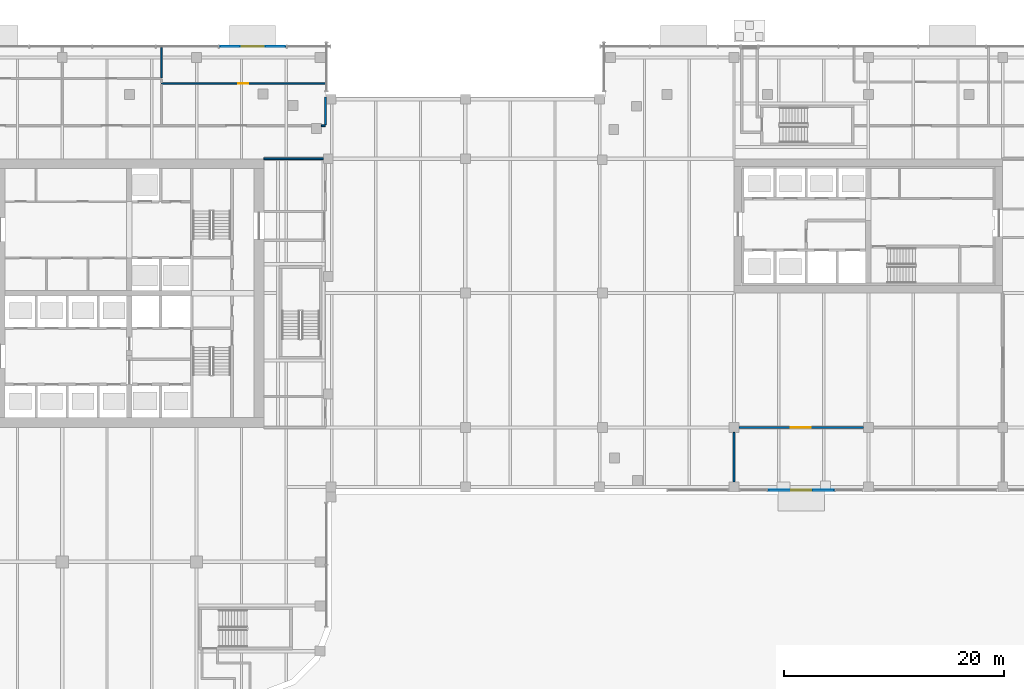
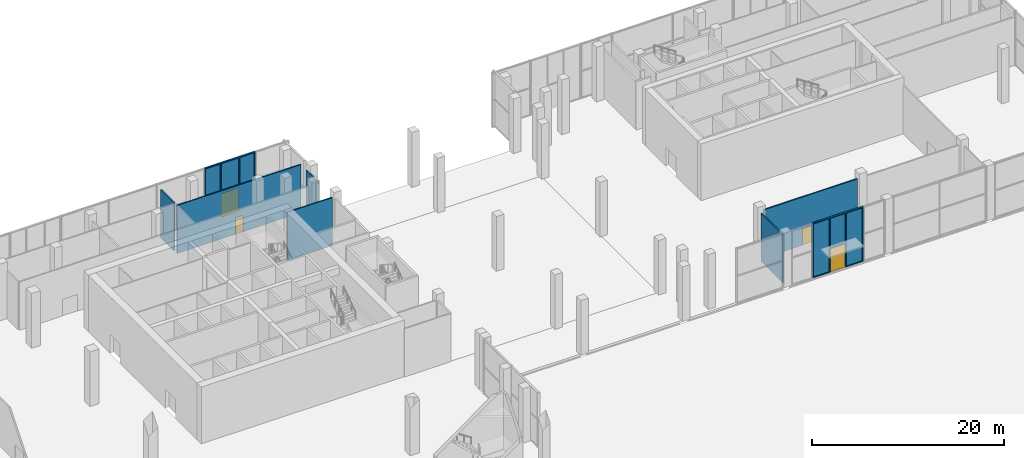
# One storey, part 22 of 36: 9 walls, 6 plates, 4 doors, 10 openings.
"""IFC4 building model written with IfcOpenShell, lengths in metres."""

from ifc_helpers import new_model, si_unit, direction, frame, frame_2d, origin, place, context, subcontext, project, spatial, polyline, rectangle, outline, extrude, source, transform, mapped, material, layer, layer_set, type_object, element, fill, save


model = new_model("IFC4")

# Units and contexts
model_context = context("Model", 3, precision=1e-05, world=origin(), true_north=direction((0.0, 1.0)))
body_context = subcontext(model_context, "Body", "Model", "MODEL_VIEW")
ifc_project = project(units=[si_unit("LENGTHUNIT", "METRE"), si_unit("AREAUNIT", "SQUARE_METRE"), si_unit("VOLUMEUNIT", "CUBIC_METRE"), si_unit("PLANEANGLEUNIT", "RADIAN"), si_unit("MASSUNIT", "GRAM", prefix="KILO")], contexts=[model_context])

# Site, building, storey
site_placement = place(None, origin())
site = spatial("IfcSite", under=ifc_project, at=site_placement, CompositionType="ELEMENT")
building_placement = place(site_placement, origin())
building = spatial("IfcBuilding", under=site, at=building_placement, Name="Tessera Gate Towers", CompositionType="ELEMENT")
storey_placement = place(building_placement, origin())
storey = spatial("IfcBuildingStorey", under=building, at=storey_placement, Name="L00", CompositionType="ELEMENT", Elevation=0.0)

# Wall
ifc_material_1 = material(Name="Gypsum board on steel studs, mineral wool", Category="steel")
ifc_layer_1 = layer(ifc_material_1, 0.14990234375)
ifc_layer_set_1 = layer_set([ifc_layer_1], Name="CORRIDOR WALL 150")
wall_type_1 = type_object("IfcWallType", Name="CORRIDOR WALL 150", PredefinedType="PARTITIONING", material=ifc_layer_set_1)
wall_1_placement = place(storey_placement, frame((97.60009765625, 19.450927734375, 0.0), z_axis=(0.0, 0.0, 1.0), x_axis=(0.0, 1.0, 0.0)))
element("IfcWall", 1, at=wall_1_placement, inside=storey, type_object=wall_type_1, Name="PODIUM-L00-PW-002", PredefinedType="PARTITIONING", context=body_context, shape_type="SweptSolid", body=[
    extrude(rectangle(XDim=4.498046875, YDim=0.14990234375, at=frame_2d((2.2490234375, 0.0))), origin(), (0.0, 0.0, 1.0), 6.114990234375),
])

# Wall, opening, door
wall_2_placement = place(storey_placement, frame((109.34912109375, 24.39990234375, 0.0), z_axis=(0.0, 0.0, 1.0), x_axis=(-1.0, 0.0, 0.0)))
wall_2 = element("IfcWall", 2, at=wall_2_placement, inside=storey, type_object=wall_type_1, Name="PODIUM-L00-PW-006", PredefinedType="PARTITIONING", context=body_context, shape_type="SweptSolid", body=[
    extrude(rectangle(XDim=11.298095703125, YDim=0.14990234375, at=frame_2d((5.64892578125, 0.0))), origin(), (0.0, 0.0, 1.0), 6.114990234375),
])
shared_shape_1 = source(origin(), body_context, "Body", "SweptSolid", [
    extrude(rectangle(XDim=1.800048828125, YDim=2.10009765625, at=frame_2d((0.89990234375, 1.050048828125))), frame((0.0, 0.0849609375, 0.0), z_axis=(0.0, -1.0, 0.0), x_axis=(1.0, 0.0, 0.0)), (0.0, 0.0, 1.0), 0.169921875),
])
opening_1_placement = place(wall_2_placement, frame((4.798095703125, 0.0, 0.0)))
opening_1 = element("IfcOpeningElement", 3, at=opening_1_placement, cuts=wall_2, Name="Opening D2180FD60-P01-09", PredefinedType="OPENING", context=body_context, shape_type="MappedRepresentation", body=[
    mapped(shared_shape_1, transform((0.0, 0.0, 0.0), scale=1.0)),
])
ifc_material_2 = material(Name="Timber door leaf in steel frame", Category="steel")
door_type_1 = type_object("IfcDoorType", Name="TENANCY ENTRANCE DOUBLE DOOR 1800 FD60", OperationType="NOTDEFINED", PredefinedType="DOOR", material=ifc_material_2)
shared_shape_2 = source(origin(), body_context, "Body", "SweptSolid", [
    extrude(rectangle(XDim=1.800048828125, YDim=2.10009765625, at=frame_2d((0.89990234375, 1.050048828125))), frame((0.0, 0.02490234375, 0.0), z_axis=(0.0, -1.0, 0.0), x_axis=(1.0, 0.0, 0.0)), (0.0, 0.0, 1.0), 0.050048828125),
])
door_1_placement = place(opening_1_placement, origin())
door_1 = element("IfcDoor", 4, at=door_1_placement, inside=storey, type_object=door_type_1, Name="PODIUM-L00-PD-020", OperationType="DOUBLE_DOOR_SINGLE_SWING", OverallHeight=2.10009765625, OverallWidth=1.800048828125, PredefinedType="DOOR", context=body_context, shape_type="MappedRepresentation", body=[
    mapped(shared_shape_2, transform((0.0, 0.0, 0.0), scale=1.0)),
])
fill(opening_1, door_1)

# Walls
wall_3_placement = place(storey_placement, frame((54.89990234375, 48.800048828125, 0.0), z_axis=(0.0, 0.0, 1.0), x_axis=(1.0, 0.0, 0.0)))
element("IfcWall", 5, at=wall_3_placement, inside=storey, type_object=wall_type_1, Name="PODIUM-L00-PW-017", PredefinedType="PARTITIONING", context=body_context, shape_type="SweptSolid", body=[
    extrude(rectangle(XDim=5.399169921875, YDim=0.14990234375, at=frame_2d((2.69970703125, 0.0))), origin(), (0.0, 0.0, 1.0), 6.114990234375),
])
wall_4_placement = place(storey_placement, frame((60.1201171875, 51.800048828125, 0.0), z_axis=(0.0, 0.0, 1.0), x_axis=(1.0, 0.0, 0.0)))
element("IfcWall", 6, at=wall_4_placement, inside=storey, type_object=wall_type_1, Name="PODIUM-L00-PW-024", PredefinedType="PARTITIONING", context=body_context, shape_type="SweptSolid", body=[
    extrude(rectangle(XDim=0.3798828125, YDim=0.14990234375, at=frame_2d((0.18994140625, 0.0))), origin(), (0.0, 0.0, 1.0), 6.114990234375),
])
wall_5_placement = place(storey_placement, frame((60.5, 51.8759765625, 0.0), z_axis=(0.0, 0.0, 1.0), x_axis=(0.0, 1.0, 0.0)))
element("IfcWall", 7, at=wall_5_placement, inside=storey, type_object=wall_type_1, Name="PODIUM-L00-PW-031", PredefinedType="PARTITIONING", context=body_context, shape_type="SweptSolid", body=[
    extrude(rectangle(XDim=2.52392578125, YDim=0.14990234375, at=frame_2d((1.261962890625, 0.0))), origin(), (0.0, 0.0, 1.0), 6.114990234375),
])

# Wall, opening, door
ifc_material_3 = material(Name="Gypsum board on steel studs, mineral wool", Category="steel")
ifc_layer_2 = layer(ifc_material_3, 0.14990234375)
ifc_layer_set_2 = layer_set([ifc_layer_2], Name="STORE WALL 150")
wall_type_2 = type_object("IfcWallType", Name="STORE WALL 150", PredefinedType="PARTITIONING", material=ifc_layer_set_2)
wall_6_placement = place(storey_placement, frame((45.60009765625, 55.625, 0.0), z_axis=(0.0, 0.0, 1.0), x_axis=(1.0, 0.0, 0.0)))
wall_6 = element("IfcWall", 8, at=wall_6_placement, inside=storey, type_object=wall_type_2, Name="PODIUM-L00-PW-037", PredefinedType="PARTITIONING", context=body_context, shape_type="SweptSolid", body=[
    extrude(rectangle(XDim=14.89990234375, YDim=0.14990234375, at=frame_2d((7.449951171875, 0.0))), origin(), (0.0, 0.0, 1.0), 6.114990234375),
])
shared_shape_3 = source(origin(), body_context, "Body", "SweptSolid", [
    extrude(rectangle(XDim=0.89990234375, YDim=2.10009765625, at=frame_2d((0.449951171875, 1.050048828125))), frame((0.0, 0.0849609375, 0.0), z_axis=(0.0, -1.0, 0.0), x_axis=(1.0, 0.0, 0.0)), (0.0, 0.0, 1.0), 0.169921875),
])
opening_2_placement = place(wall_6_placement, frame((7.0, 0.0, 0.0)))
opening_2 = element("IfcOpeningElement", 9, at=opening_2_placement, cuts=wall_6, Name="Opening D490FD60-P01-04", PredefinedType="OPENING", context=body_context, shape_type="MappedRepresentation", body=[
    mapped(shared_shape_3, transform((0.0, 0.0, 0.0), scale=1.0)),
])
ifc_material_4 = material(Name="Timber door leaf in steel frame", Category="steel")
door_type_2 = type_object("IfcDoorType", Name="STORE DOOR 900 FD60", OperationType="NOTDEFINED", PredefinedType="DOOR", material=ifc_material_4)
shared_shape_4 = source(origin(), body_context, "Body", "SweptSolid", [
    extrude(rectangle(XDim=0.89990234375, YDim=2.10009765625, at=frame_2d((0.449951171875, 1.050048828125))), frame((0.0, 0.02490234375, 0.0), z_axis=(0.0, -1.0, 0.0), x_axis=(1.0, 0.0, 0.0)), (0.0, 0.0, 1.0), 0.050048828125),
])
door_2_placement = place(opening_2_placement, origin())
door_2 = element("IfcDoor", 10, at=door_2_placement, inside=storey, type_object=door_type_2, Name="PODIUM-L00-PD-016", OperationType="SINGLE_SWING_LEFT", OverallHeight=2.10009765625, OverallWidth=0.89990234375, PredefinedType="DOOR", context=body_context, shape_type="MappedRepresentation", body=[
    mapped(shared_shape_4, transform((0.0, 0.0, 0.0), scale=1.0)),
])
fill(opening_2, door_2)

# Wall
wall_7_placement = place(storey_placement, frame((45.60009765625, 56.15087890625, 0.0), z_axis=(0.0, 0.0, 1.0), x_axis=(0.0, 1.0, 0.0)))
element("IfcWall", 11, at=wall_7_placement, inside=storey, type_object=wall_type_2, Name="PODIUM-L00-PW-045", PredefinedType="PARTITIONING", context=body_context, shape_type="SweptSolid", body=[
    extrude(rectangle(XDim=2.7490234375, YDim=0.14990234375, at=frame_2d((1.37451171875, 0.0))), origin(), (0.0, 0.0, 1.0), 6.114990234375),
])

# Wall, openings, plates, door
ifc_material_5 = material(Name="Aluminium storefront glazing", Category="aluminium")
ifc_layer_3 = layer(ifc_material_5, 0.199951171875)
ifc_layer_set_3 = layer_set([ifc_layer_3], Name="WS2 storefront bay wall")
wall_type_3 = type_object("IfcWallType", Name="WS2 storefront bay wall", PredefinedType="PARTITIONING", material=ifc_layer_set_3)
wall_8_placement = place(storey_placement, frame((100.64990234375, 18.699951171875, 0.0), z_axis=(0.0, 0.0, 1.0), x_axis=(1.0, 0.0, 0.0)))
wall_8 = element("IfcWall", 12, at=wall_8_placement, inside=storey, type_object=wall_type_3, Name="Storefront bay wall PD WS2-0001", PredefinedType="PARTITIONING", context=body_context, shape_type="SweptSolid", body=[
    extrude(rectangle(XDim=6.10009765625, YDim=0.199951171875, at=frame_2d((3.050048828125, 0.0))), origin(), (0.0, 0.0, 1.0), 6.949951171875),
])
shared_shape_5 = source(origin(), body_context, "Body", "SweptSolid", [
    extrude(rectangle(XDim=1.800048828125, YDim=3.0, at=frame_2d((0.89990234375, 1.5))), frame((0.0, 0.10986328125, 0.0), z_axis=(0.0, -1.0, 0.0), x_axis=(1.0, 0.0, 0.0)), (0.0, 0.0, 1.0), 0.219970703125),
])
opening_3_placement = place(wall_8_placement, frame((2.14990234375, 0.0, 0.0)))
opening_3 = element("IfcOpeningElement", 13, at=opening_3_placement, cuts=wall_8, Name="Opening D-EP01", PredefinedType="OPENING", context=body_context, shape_type="MappedRepresentation", body=[
    mapped(shared_shape_5, transform((0.0, 0.0, 0.0), scale=1.0)),
])
shared_shape_6 = source(origin(), body_context, "Body", "SweptSolid", [
    extrude(outline(polyline([(0.1201171875, 0.10009765625), (2.030029296875, 0.10009765625), (2.030029296875, 6.85009765625), (0.1201171875, 6.85009765625), (0.1201171875, 0.10009765625)])), frame((0.0, 0.10986328125, 0.0), z_axis=(0.0, -1.0, 0.0), x_axis=(1.0, 0.0, 0.0)), (0.0, 0.0, 1.0), 0.219970703125),
])
opening_4_placement = place(wall_8_placement, origin())
opening_4 = element("IfcOpeningElement", 14, at=opening_4_placement, cuts=wall_8, Name="Opening PD-PL3-0001", PredefinedType="OPENING", context=body_context, shape_type="MappedRepresentation", body=[
    mapped(shared_shape_6, transform((0.0, 0.0, 0.0), scale=1.0)),
])
shared_shape_7 = source(origin(), body_context, "Body", "SweptSolid", [
    extrude(outline(polyline([(4.070068359375, 0.10009765625), (5.97998046875, 0.10009765625), (5.97998046875, 6.85009765625), (4.070068359375, 6.85009765625), (4.070068359375, 0.10009765625)])), frame((0.0, 0.10986328125, 0.0), z_axis=(0.0, -1.0, 0.0), x_axis=(1.0, 0.0, 0.0)), (0.0, 0.0, 1.0), 0.219970703125),
])
opening_5_placement = place(wall_8_placement, origin())
opening_5 = element("IfcOpeningElement", 15, at=opening_5_placement, cuts=wall_8, Name="Opening PD-PL3-0002", PredefinedType="OPENING", context=body_context, shape_type="MappedRepresentation", body=[
    mapped(shared_shape_7, transform((0.0, 0.0, 0.0), scale=1.0)),
])
shared_shape_8 = source(origin(), body_context, "Body", "SweptSolid", [
    extrude(outline(polyline([(2.14990234375, 3.1201171875), (3.949951171875, 3.1201171875), (3.949951171875, 6.85009765625), (2.14990234375, 6.85009765625), (2.14990234375, 3.1201171875)])), frame((0.0, 0.10986328125, 0.0), z_axis=(0.0, -1.0, 0.0), x_axis=(1.0, 0.0, 0.0)), (0.0, 0.0, 1.0), 0.219970703125),
])
opening_6_placement = place(wall_8_placement, origin())
opening_6 = element("IfcOpeningElement", 16, at=opening_6_placement, cuts=wall_8, Name="Opening PD-PL3-0003", PredefinedType="OPENING", context=body_context, shape_type="MappedRepresentation", body=[
    mapped(shared_shape_8, transform((0.0, 0.0, 0.0), scale=1.0)),
])
ifc_material_6 = material(Name="Low-e laminated glass", Category="glass")
ifc_layer_4 = layer(ifc_material_6, 0.06005859375)
ifc_layer_set_4 = layer_set([ifc_layer_4], Name="PL3 storefront pane")
plate_type = type_object("IfcPlateType", Name="PL3 storefront pane", PredefinedType="SHEET", material=ifc_layer_set_4)
shared_shape_9 = source(origin(), body_context, "Body", "SweptSolid", [
    extrude(outline(polyline([(0.1201171875, 0.10009765625), (2.030029296875, 0.10009765625), (2.030029296875, 6.85009765625), (0.1201171875, 6.85009765625), (0.1201171875, 0.10009765625)])), frame((0.0, 0.030029296875, 0.0), z_axis=(0.0, -1.0, 0.0), x_axis=(1.0, 0.0, 0.0)), (0.0, 0.0, 1.0), 0.06005859375),
])
plate_1_placement = place(opening_4_placement, origin())
plate_1 = element("IfcPlate", 17, at=plate_1_placement, inside=storey, type_object=plate_type, Name="Glass pane PD PL3-0001", PredefinedType="SHEET", context=body_context, shape_type="MappedRepresentation", body=[
    mapped(shared_shape_9, transform((0.0, 0.0, 0.0), scale=1.0)),
])
fill(opening_4, plate_1)
shared_shape_10 = source(origin(), body_context, "Body", "SweptSolid", [
    extrude(outline(polyline([(4.070068359375, 0.10009765625), (5.97998046875, 0.10009765625), (5.97998046875, 6.85009765625), (4.070068359375, 6.85009765625), (4.070068359375, 0.10009765625)])), frame((0.0, 0.030029296875, 0.0), z_axis=(0.0, -1.0, 0.0), x_axis=(1.0, 0.0, 0.0)), (0.0, 0.0, 1.0), 0.06005859375),
])
plate_2_placement = place(opening_5_placement, origin())
plate_2 = element("IfcPlate", 18, at=plate_2_placement, inside=storey, type_object=plate_type, Name="Glass pane PD PL3-0002", PredefinedType="SHEET", context=body_context, shape_type="MappedRepresentation", body=[
    mapped(shared_shape_10, transform((0.0, 0.0, 0.0), scale=1.0)),
])
fill(opening_5, plate_2)
shared_shape_11 = source(origin(), body_context, "Body", "SweptSolid", [
    extrude(outline(polyline([(2.14990234375, 3.1201171875), (3.949951171875, 3.1201171875), (3.949951171875, 6.85009765625), (2.14990234375, 6.85009765625), (2.14990234375, 3.1201171875)])), frame((0.0, 0.030029296875, 0.0), z_axis=(0.0, -1.0, 0.0), x_axis=(1.0, 0.0, 0.0)), (0.0, 0.0, 1.0), 0.06005859375),
])
plate_3_placement = place(opening_6_placement, origin())
plate_3 = element("IfcPlate", 19, at=plate_3_placement, inside=storey, type_object=plate_type, Name="Glass pane PD PL3-0003", PredefinedType="SHEET", context=body_context, shape_type="MappedRepresentation", body=[
    mapped(shared_shape_11, transform((0.0, 0.0, 0.0), scale=1.0)),
])
fill(opening_6, plate_3)
ifc_material_7 = material(Name="Aluminium storefront glazing", Category="aluminium")
ifc_layer_5 = layer(ifc_material_7, 0.050048828125)
ifc_layer_set_5 = layer_set([ifc_layer_5], Name="DL1 entrance door")
door_type_3 = type_object("IfcDoorType", Name="DL1 entrance door", OperationType="DOUBLE_DOOR_SINGLE_SWING", PredefinedType="DOOR", material=ifc_layer_set_5)
shared_shape_12 = source(origin(), body_context, "Body", "SweptSolid", [
    extrude(rectangle(XDim=1.800048828125, YDim=3.0, at=frame_2d((0.89990234375, 1.5))), frame((0.0, 0.02490234375, 0.0), z_axis=(0.0, -1.0, 0.0), x_axis=(1.0, 0.0, 0.0)), (0.0, 0.0, 1.0), 0.050048828125),
])
door_3_placement = place(opening_3_placement, origin())
door_3 = element("IfcDoor", 20, at=door_3_placement, inside=storey, type_object=door_type_3, Name="Entrance door D-EP01", OperationType="DOUBLE_DOOR_SINGLE_SWING", OverallHeight=3.0, OverallWidth=1.800048828125, PredefinedType="DOOR", context=body_context, shape_type="MappedRepresentation", body=[
    mapped(shared_shape_12, transform((0.0, 0.0, 0.0), scale=1.0)),
])
fill(opening_3, door_3)

wall_9_placement = place(storey_placement, frame((56.933349609375, 59.0, 0.0), z_axis=(0.0, 0.0, 1.0), x_axis=(-1.0, 0.0, 0.0)))
wall_9 = element("IfcWall", 21, at=wall_9_placement, inside=storey, type_object=wall_type_3, Name="Storefront bay wall PD WS2-0005", PredefinedType="PARTITIONING", context=body_context, shape_type="SweptSolid", body=[
    extrude(rectangle(XDim=6.10009765625, YDim=0.199951171875, at=frame_2d((3.050048828125, 0.0))), origin(), (0.0, 0.0, 1.0), 6.949951171875),
])
shared_shape_13 = source(origin(), body_context, "Body", "SweptSolid", [
    extrude(rectangle(XDim=2.10009765625, YDim=3.0, at=frame_2d((1.050048828125, 1.5))), frame((0.0, 0.10986328125, 0.0), z_axis=(0.0, -1.0, 0.0), x_axis=(1.0, 0.0, 0.0)), (0.0, 0.0, 1.0), 0.219970703125),
])
opening_7_placement = place(wall_9_placement, frame((2.0, 0.0, 0.0)))
opening_7 = element("IfcOpeningElement", 22, at=opening_7_placement, cuts=wall_9, Name="Opening D-EP05", PredefinedType="OPENING", context=body_context, shape_type="MappedRepresentation", body=[
    mapped(shared_shape_13, transform((0.0, 0.0, 0.0), scale=1.0)),
])
shared_shape_14 = source(origin(), body_context, "Body", "SweptSolid", [
    extrude(outline(polyline([(0.1201171875, 0.10009765625), (1.8798828125, 0.10009765625), (1.8798828125, 6.85009765625), (0.1201171875, 6.85009765625), (0.1201171875, 0.10009765625)])), frame((0.0, 0.10986328125, 0.0), z_axis=(0.0, -1.0, 0.0), x_axis=(1.0, 0.0, 0.0)), (0.0, 0.0, 1.0), 0.219970703125),
])
opening_8_placement = place(wall_9_placement, origin())
opening_8 = element("IfcOpeningElement", 23, at=opening_8_placement, cuts=wall_9, Name="Opening PD-PL3-0013", PredefinedType="OPENING", context=body_context, shape_type="MappedRepresentation", body=[
    mapped(shared_shape_14, transform((0.0, 0.0, 0.0), scale=1.0)),
])
shared_shape_15 = source(origin(), body_context, "Body", "SweptSolid", [
    extrude(outline(polyline([(4.219970703125, 0.10009765625), (5.97998046875, 0.10009765625), (5.97998046875, 6.85009765625), (4.219970703125, 6.85009765625), (4.219970703125, 0.10009765625)])), frame((0.0, 0.10986328125, 0.0), z_axis=(0.0, -1.0, 0.0), x_axis=(1.0, 0.0, 0.0)), (0.0, 0.0, 1.0), 0.219970703125),
])
opening_9_placement = place(wall_9_placement, origin())
opening_9 = element("IfcOpeningElement", 24, at=opening_9_placement, cuts=wall_9, Name="Opening PD-PL3-0014", PredefinedType="OPENING", context=body_context, shape_type="MappedRepresentation", body=[
    mapped(shared_shape_15, transform((0.0, 0.0, 0.0), scale=1.0)),
])
shared_shape_16 = source(origin(), body_context, "Body", "SweptSolid", [
    extrude(outline(polyline([(2.0, 3.1201171875), (4.10009765625, 3.1201171875), (4.10009765625, 6.85009765625), (2.0, 6.85009765625), (2.0, 3.1201171875)])), frame((0.0, 0.10986328125, 0.0), z_axis=(0.0, -1.0, 0.0), x_axis=(1.0, 0.0, 0.0)), (0.0, 0.0, 1.0), 0.219970703125),
])
opening_10_placement = place(wall_9_placement, origin())
opening_10 = element("IfcOpeningElement", 25, at=opening_10_placement, cuts=wall_9, Name="Opening PD-PL3-0015", PredefinedType="OPENING", context=body_context, shape_type="MappedRepresentation", body=[
    mapped(shared_shape_16, transform((0.0, 0.0, 0.0), scale=1.0)),
])
shared_shape_17 = source(origin(), body_context, "Body", "SweptSolid", [
    extrude(outline(polyline([(0.1201171875, 0.10009765625), (1.8798828125, 0.10009765625), (1.8798828125, 6.85009765625), (0.1201171875, 6.85009765625), (0.1201171875, 0.10009765625)])), frame((0.0, 0.030029296875, 0.0), z_axis=(0.0, -1.0, 0.0), x_axis=(1.0, 0.0, 0.0)), (0.0, 0.0, 1.0), 0.06005859375),
])
plate_4_placement = place(opening_8_placement, origin())
plate_4 = element("IfcPlate", 26, at=plate_4_placement, inside=storey, type_object=plate_type, Name="Glass pane PD PL3-0013", PredefinedType="SHEET", context=body_context, shape_type="MappedRepresentation", body=[
    mapped(shared_shape_17, transform((0.0, 0.0, 0.0), scale=1.0)),
])
fill(opening_8, plate_4)
shared_shape_18 = source(origin(), body_context, "Body", "SweptSolid", [
    extrude(outline(polyline([(4.219970703125, 0.10009765625), (5.97998046875, 0.10009765625), (5.97998046875, 6.85009765625), (4.219970703125, 6.85009765625), (4.219970703125, 0.10009765625)])), frame((0.0, 0.030029296875, 0.0), z_axis=(0.0, -1.0, 0.0), x_axis=(1.0, 0.0, 0.0)), (0.0, 0.0, 1.0), 0.06005859375),
])
plate_5_placement = place(opening_9_placement, origin())
plate_5 = element("IfcPlate", 27, at=plate_5_placement, inside=storey, type_object=plate_type, Name="Glass pane PD PL3-0014", PredefinedType="SHEET", context=body_context, shape_type="MappedRepresentation", body=[
    mapped(shared_shape_18, transform((0.0, 0.0, 0.0), scale=1.0)),
])
fill(opening_9, plate_5)
shared_shape_19 = source(origin(), body_context, "Body", "SweptSolid", [
    extrude(outline(polyline([(2.0, 3.1201171875), (4.10009765625, 3.1201171875), (4.10009765625, 6.85009765625), (2.0, 6.85009765625), (2.0, 3.1201171875)])), frame((0.0, 0.030029296875, 0.0), z_axis=(0.0, -1.0, 0.0), x_axis=(1.0, 0.0, 0.0)), (0.0, 0.0, 1.0), 0.06005859375),
])
plate_6_placement = place(opening_10_placement, origin())
plate_6 = element("IfcPlate", 28, at=plate_6_placement, inside=storey, type_object=plate_type, Name="Glass pane PD PL3-0015", PredefinedType="SHEET", context=body_context, shape_type="MappedRepresentation", body=[
    mapped(shared_shape_19, transform((0.0, 0.0, 0.0), scale=1.0)),
])
fill(opening_10, plate_6)
ifc_material_8 = material(Name="Aluminium storefront glazing", Category="aluminium")
ifc_layer_6 = layer(ifc_material_8, 0.050048828125)
ifc_layer_set_6 = layer_set([ifc_layer_6], Name="DL6 wide entrance door")
door_type_4 = type_object("IfcDoorType", Name="DL6 wide entrance door", OperationType="DOUBLE_DOOR_SINGLE_SWING", PredefinedType="DOOR", material=ifc_layer_set_6)
shared_shape_20 = source(origin(), body_context, "Body", "SweptSolid", [
    extrude(rectangle(XDim=2.10009765625, YDim=3.0, at=frame_2d((1.050048828125, 1.5))), frame((0.0, 0.02490234375, 0.0), z_axis=(0.0, -1.0, 0.0), x_axis=(1.0, 0.0, 0.0)), (0.0, 0.0, 1.0), 0.050048828125),
])
door_4_placement = place(opening_7_placement, origin())
door_4 = element("IfcDoor", 29, at=door_4_placement, inside=storey, type_object=door_type_4, Name="Entrance door D-EP05", OperationType="DOUBLE_DOOR_SINGLE_SWING", OverallHeight=3.0, OverallWidth=2.10009765625, PredefinedType="DOOR", context=body_context, shape_type="MappedRepresentation", body=[
    mapped(shared_shape_20, transform((0.0, 0.0, 0.0), scale=1.0)),
])
fill(opening_7, door_4)

save(model, "model.ifc")
